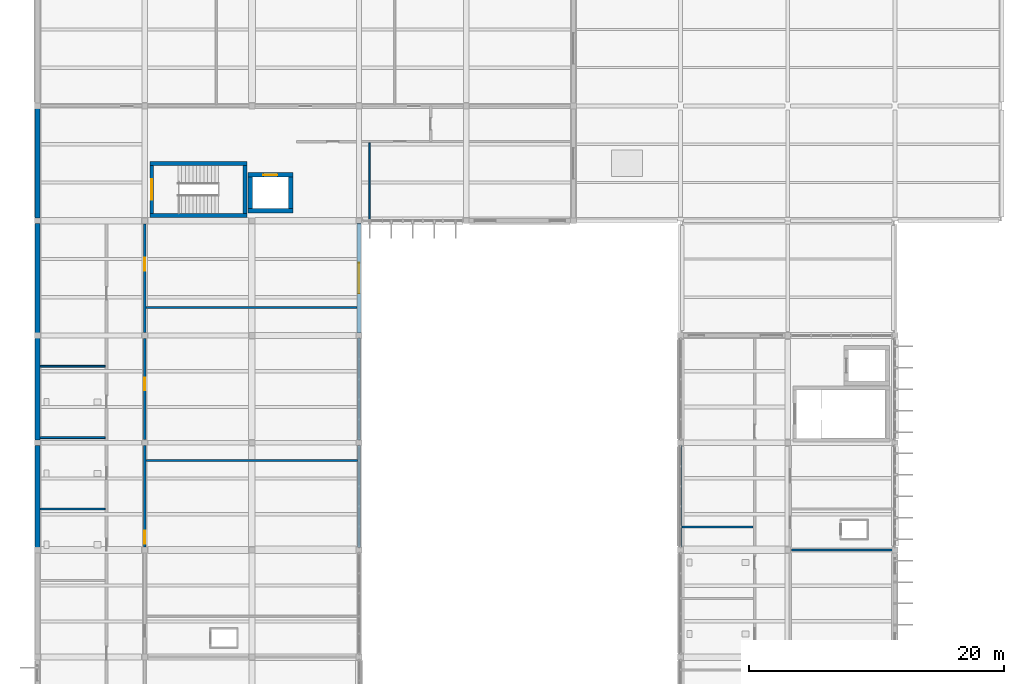
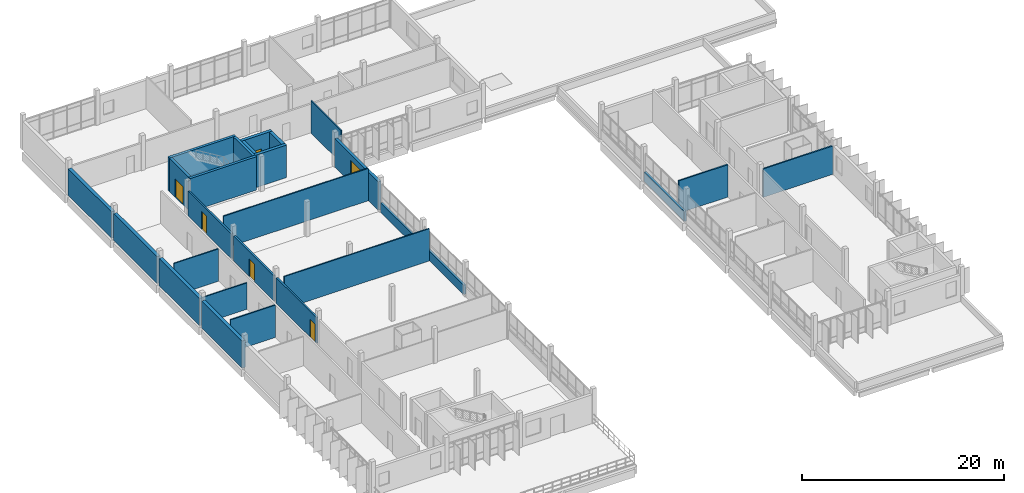
# One storey, part 52 of 62: 27 walls, 5 doors, 1 window, 6 openings.
"""IFC4 building model written with IfcOpenShell, lengths in metres."""

from ifc_helpers import new_model, si_unit, direction, frame, frame_2d, origin, place, context, subcontext, project, spatial, rectangle, extrude, material, layer, layer_set, type_object, element, fill, save


model = new_model("IFC4")

# Units and contexts
model_context = context("Model", 3, precision=1e-05, world=origin(), true_north=direction((0.0, 1.0)))
body_context = subcontext(model_context, "Body", "Model", "MODEL_VIEW")
ifc_project = project(units=[si_unit("LENGTHUNIT", "METRE"), si_unit("AREAUNIT", "SQUARE_METRE"), si_unit("VOLUMEUNIT", "CUBIC_METRE"), si_unit("PLANEANGLEUNIT", "RADIAN"), si_unit("MASSUNIT", "GRAM", prefix="KILO")], contexts=[model_context])

# Site, building, storey
site_placement = place(None, origin())
site = spatial("IfcSite", under=ifc_project, at=site_placement, CompositionType="ELEMENT")
building_placement = place(site_placement, origin())
building = spatial("IfcBuilding", under=site, at=building_placement, Name="Vireocrest Preparatory School", CompositionType="ELEMENT")
storey_placement = place(building_placement, frame((0.0, 0.0, 17.39990234375)))
storey = spatial("IfcBuildingStorey", under=building, at=storey_placement, Name="L04", CompositionType="ELEMENT", Elevation=17.39990234375)

# Walls
ifc_material_1 = material(Name="Gypsum board on cold-formed steel studs", Category="steel")
ifc_layer_1 = layer(ifc_material_1, 0.139892578125)
ifc_layer_set_1 = layer_set([ifc_layer_1], Name="Gypsum board on cold-formed steel studs")
wall_type_1 = type_object("IfcWallType", Name="Classroom Acoustic Partition Wall 140", PredefinedType="PARTITIONING", material=ifc_layer_set_1)
wall_1_placement = place(storey_placement, frame((42.195068359375, 72.199951171875, 0.0), z_axis=(0.0, 0.0, 1.0), x_axis=(1.0, 0.0, 0.0)))
element("IfcWall", 1, at=wall_1_placement, inside=storey, type_object=wall_type_1, Name="Interior Partition W03 IW_L04_0292", PredefinedType="PARTITIONING", context=body_context, shape_type="SweptSolid", body=[
    extrude(rectangle(XDim=5.099853515625, YDim=0.139892578125, at=frame_2d((2.5498046875, 0.0))), origin(), (0.0, 0.0, 1.0), 3.900146484375),
])
wall_2_placement = place(storey_placement, frame((42.195068359375, 77.800048828125, 0.0), z_axis=(0.0, 0.0, 1.0), x_axis=(1.0, 0.0, 0.0)))
element("IfcWall", 2, at=wall_2_placement, inside=storey, type_object=wall_type_1, Name="Interior Partition W03 IW_L04_0293", PredefinedType="PARTITIONING", context=body_context, shape_type="SweptSolid", body=[
    extrude(rectangle(XDim=5.099853515625, YDim=0.139892578125, at=frame_2d((2.5498046875, 0.0))), origin(), (0.0, 0.0, 1.0), 3.190185546875),
])
wall_3_placement = place(storey_placement, frame((42.195068359375, 83.39990234375, 0.0), z_axis=(0.0, 0.0, 1.0), x_axis=(1.0, 0.0, 0.0)))
element("IfcWall", 3, at=wall_3_placement, inside=storey, type_object=wall_type_1, Name="Interior Partition W03 IW_L04_0294", PredefinedType="PARTITIONING", context=body_context, shape_type="SweptSolid", body=[
    extrude(rectangle(XDim=5.099853515625, YDim=0.139892578125, at=frame_2d((2.5498046875, 0.0))), origin(), (0.0, 0.0, 1.0), 3.900146484375),
])
wall_4_placement = place(storey_placement, frame((50.5048828125, 76.0, 0.0), z_axis=(0.0, 0.0, 1.0), x_axis=(1.0, 0.0, 0.0)))
element("IfcWall", 4, at=wall_4_placement, inside=storey, type_object=wall_type_1, Name="Interior Partition W03 IW_L04_0299", PredefinedType="PARTITIONING", context=body_context, shape_type="SweptSolid", body=[
    extrude(rectangle(XDim=16.570068359375, YDim=0.139892578125, at=frame_2d((8.28515625, 0.0))), origin(), (0.0, 0.0, 1.0), 3.900146484375),
])
wall_5_placement = place(storey_placement, frame((50.5048828125, 88.0, 0.0), z_axis=(0.0, 0.0, 1.0), x_axis=(1.0, 0.0, 0.0)))
element("IfcWall", 5, at=wall_5_placement, inside=storey, type_object=wall_type_1, Name="Interior Partition W03 IW_L04_0300", PredefinedType="PARTITIONING", context=body_context, shape_type="SweptSolid", body=[
    extrude(rectangle(XDim=16.530029296875, YDim=0.139892578125, at=frame_2d((8.26513671875, 0.0))), origin(), (0.0, 0.0, 1.0), 3.900146484375),
])

# Wall, opening, door
ifc_layer_2 = layer(ifc_material_1, 0.199951171875)
ifc_layer_set_2 = layer_set([ifc_layer_2], Name="Gypsum board on cold-formed steel studs")
wall_type_2 = type_object("IfcWallType", Name="Corridor One-Hour Fire Partition 200", PredefinedType="PARTITIONING", material=ifc_layer_set_2)
wall_6_placement = place(storey_placement, frame((50.39990234375, 69.235107421875, 0.0), z_axis=(0.0, 0.0, 1.0), x_axis=(0.0, 1.0, 0.0)))
wall_6 = element("IfcWall", 6, at=wall_6_placement, inside=storey, type_object=wall_type_2, Name="Interior Partition W06 IW_L04_0303", PredefinedType="PARTITIONING", context=body_context, shape_type="SweptSolid", body=[
    extrude(rectangle(XDim=7.929931640625, YDim=0.199951171875, at=frame_2d((3.96484375, 0.0))), origin(), (0.0, 0.0, 1.0), 3.090087890625),
])
opening_1_placement = place(wall_6_placement, frame((0.25, 0.0, 0.0)))
opening_1 = element("IfcOpeningElement", 7, at=opening_1_placement, cuts=wall_6, Name="Opening D-L04-W4E03", PredefinedType="OPENING", context=body_context, shape_type="SweptSolid", body=[
    extrude(rectangle(XDim=1.0, YDim=2.14990234375, at=frame_2d((0.5, 1.074951171875))), frame((0.0, 0.10986328125, 0.0), z_axis=(0.0, -1.0, 0.0), x_axis=(1.0, 0.0, 0.0)), (0.0, 0.0, 1.0), 0.219970703125),
])
ifc_material_2 = material(Name="Solid-core architectural birch timber", Category="wood")
door_type_1 = type_object("IfcDoorType", Name="Classroom Acoustic Timber Door 1000x2150", OperationType="NOTDEFINED", PredefinedType="DOOR", material=ifc_material_2)
door_1_placement = place(opening_1_placement, origin())
door_1 = element("IfcDoor", 8, at=door_1_placement, inside=storey, type_object=door_type_1, Name="Interior Door D-L04-W4E03", OperationType="SINGLE_SWING_RIGHT", OverallHeight=2.14990234375, OverallWidth=1.0, PredefinedType="DOOR", context=body_context, shape_type="SweptSolid", body=[
    extrude(rectangle(XDim=1.0, YDim=2.14990234375, at=frame_2d((0.5, 1.074951171875))), frame((0.0, 0.02490234375, 0.0), z_axis=(0.0, -1.0, 0.0), x_axis=(1.0, 0.0, 0.0)), (0.0, 0.0, 1.0), 0.050048828125),
])
fill(opening_1, door_1)

wall_7_placement = place(storey_placement, frame((50.39990234375, 77.635009765625, 0.0), z_axis=(0.0, 0.0, 1.0), x_axis=(0.0, 1.0, 0.0)))
wall_7 = element("IfcWall", 9, at=wall_7_placement, inside=storey, type_object=wall_type_2, Name="Interior Partition W06 IW_L04_0304", PredefinedType="PARTITIONING", context=body_context, shape_type="SweptSolid", body=[
    extrude(rectangle(XDim=7.929931640625, YDim=0.199951171875, at=frame_2d((3.96484375, 0.0))), origin(), (0.0, 0.0, 1.0), 3.0400390625),
])
opening_2_placement = place(wall_7_placement, frame((3.864990234375, 0.0, 0.0)))
opening_2 = element("IfcOpeningElement", 10, at=opening_2_placement, cuts=wall_7, Name="Opening D-L04-W4E04", PredefinedType="OPENING", context=body_context, shape_type="SweptSolid", body=[
    extrude(rectangle(XDim=1.0, YDim=2.14990234375, at=frame_2d((0.5, 1.074951171875))), frame((0.0, 0.10986328125, 0.0), z_axis=(0.0, -1.0, 0.0), x_axis=(1.0, 0.0, 0.0)), (0.0, 0.0, 1.0), 0.219970703125),
])
door_2_placement = place(opening_2_placement, origin())
door_2 = element("IfcDoor", 11, at=door_2_placement, inside=storey, type_object=door_type_1, Name="Interior Door D-L04-W4E04", OperationType="SINGLE_SWING_LEFT", OverallHeight=2.14990234375, OverallWidth=1.0, PredefinedType="DOOR", context=body_context, shape_type="SweptSolid", body=[
    extrude(rectangle(XDim=1.0, YDim=2.14990234375, at=frame_2d((0.5, 1.074951171875))), frame((0.0, 0.02490234375, 0.0), z_axis=(0.0, -1.0, 0.0), x_axis=(1.0, 0.0, 0.0)), (0.0, 0.0, 1.0), 0.050048828125),
])
fill(opening_2, door_2)

wall_8_placement = place(storey_placement, frame((50.39990234375, 86.034912109375, 0.0), z_axis=(0.0, 0.0, 1.0), x_axis=(0.0, 1.0, 0.0)))
wall_8 = element("IfcWall", 12, at=wall_8_placement, inside=storey, type_object=wall_type_2, Name="Interior Partition W06 IW_L04_0305", PredefinedType="PARTITIONING", context=body_context, shape_type="SweptSolid", body=[
    extrude(rectangle(XDim=8.530029296875, YDim=0.199951171875, at=frame_2d((4.26513671875, 0.0))), origin(), (0.0, 0.0, 1.0), 2.989990234375),
])
opening_3_placement = place(wall_8_placement, frame((4.864990234375, 0.0, 0.0)))
opening_3 = element("IfcOpeningElement", 13, at=opening_3_placement, cuts=wall_8, Name="Opening D-L04-W4E05", PredefinedType="OPENING", context=body_context, shape_type="SweptSolid", body=[
    extrude(rectangle(XDim=1.0, YDim=2.14990234375, at=frame_2d((0.5, 1.074951171875))), frame((0.0, 0.10986328125, 0.0), z_axis=(0.0, -1.0, 0.0), x_axis=(1.0, 0.0, 0.0)), (0.0, 0.0, 1.0), 0.219970703125),
])
door_3_placement = place(opening_3_placement, origin())
door_3 = element("IfcDoor", 14, at=door_3_placement, inside=storey, type_object=door_type_1, Name="Interior Door D-L04-W4E05", OperationType="SINGLE_SWING_RIGHT", OverallHeight=2.14990234375, OverallWidth=1.0, PredefinedType="DOOR", context=body_context, shape_type="SweptSolid", body=[
    extrude(rectangle(XDim=1.0, YDim=2.14990234375, at=frame_2d((0.5, 1.074951171875))), frame((0.0, 0.02490234375, 0.0), z_axis=(0.0, -1.0, 0.0), x_axis=(1.0, 0.0, 0.0)), (0.0, 0.0, 1.0), 0.050048828125),
])
fill(opening_3, door_3)

# Wall, opening, window
ifc_material_3 = material(Name="Precast white concrete 40 MPa", Category="concrete")
ifc_layer_3 = layer(ifc_material_3, 0.320068359375)
ifc_layer_set_3 = layer_set([ifc_layer_3], Name="Precast white concrete 40 MPa")
wall_type_3 = type_object("IfcWallType", Name="High-Tech Insulated Rainscreen External Wall 320", PredefinedType="SOLIDWALL", material=ifc_layer_set_3)
wall_9_placement = place(storey_placement, frame((67.199951171875, 86.0, 0.0), z_axis=(0.0, 0.0, 1.0), x_axis=(0.0, 1.0, 0.0)))
wall_9 = element("IfcWall", 15, at=wall_9_placement, inside=storey, type_object=wall_type_3, Name="External Wall W12 EW_L04_0355", PredefinedType="SOLIDWALL", context=body_context, shape_type="SweptSolid", body=[
    extrude(rectangle(XDim=8.60009765625, YDim=0.320068359375, at=frame_2d((4.300048828125, 0.0))), origin(), (0.0, 0.0, 1.0), 3.43017578125),
])
opening_4_placement = place(wall_9_placement, frame((3.10009765625, 0.0, 0.89990234375)))
opening_4 = element("IfcOpeningElement", 16, at=opening_4_placement, cuts=wall_9, Name="Opening WN12", PredefinedType="OPENING", context=body_context, shape_type="SweptSolid", body=[
    extrude(rectangle(XDim=2.39990234375, YDim=1.800048828125, at=frame_2d((1.199951171875, 0.89990234375))), frame((0.0, 0.169921875, 0.0), z_axis=(0.0, -1.0, 0.0), x_axis=(1.0, 0.0, 0.0)), (0.0, 0.0, 1.0), 0.340087890625),
])
ifc_material_4 = material(Name="Thermally broken aluminium EN AW-6063-T6", Category="aluminium")
window_type = type_object("IfcWindowType", Name="Classroom Paired Window 2400x1800", PartitioningType="DOUBLE_PANEL_VERTICAL", PredefinedType="WINDOW", material=ifc_material_4)
window_placement = place(opening_4_placement, origin())
window = element("IfcWindow", 17, at=window_placement, inside=storey, type_object=window_type, Name="Window W-L04-178 (WN12)", OverallHeight=1.800048828125, OverallWidth=2.39990234375, PartitioningType="SINGLE_PANEL", PredefinedType="WINDOW", context=body_context, shape_type="SweptSolid", body=[
    extrude(rectangle(XDim=2.39990234375, YDim=1.800048828125, at=frame_2d((1.199951171875, 0.89990234375))), frame((0.0, 0.030029296875, 0.0), z_axis=(0.0, -1.0, 0.0), x_axis=(1.0, 0.0, 0.0)), (0.0, 0.0, 1.0), 0.06005859375),
])
fill(opening_4, window)

# Walls
ifc_layer_4 = layer(ifc_material_1, 0.159912109375)
ifc_layer_set_4 = layer_set([ifc_layer_4], Name="Gypsum board on cold-formed steel studs")
wall_type_4 = type_object("IfcWallType", Name="Laboratory Wet-Service Partition Wall 160", PredefinedType="PARTITIONING", material=ifc_layer_set_4)
wall_10_placement = place(storey_placement, frame((92.52490234375, 70.800048828125, 0.0), z_axis=(0.0, 0.0, 1.0), x_axis=(1.0, 0.0, 0.0)))
element("IfcWall", 18, at=wall_10_placement, inside=storey, type_object=wall_type_4, Name="Interior Partition W04 IW_L04_0319", PredefinedType="PARTITIONING", context=body_context, shape_type="SweptSolid", body=[
    extrude(rectangle(XDim=5.570068359375, YDim=0.159912109375, at=frame_2d((2.78515625, 0.0))), origin(), (0.0, 0.0, 1.0), 3.900146484375),
])
wall_11_placement = place(storey_placement, frame((101.10498046875, 69.0, 0.0), z_axis=(0.0, 0.0, 1.0), x_axis=(1.0, 0.0, 0.0)))
element("IfcWall", 19, at=wall_11_placement, inside=storey, type_object=wall_type_4, Name="Interior Partition W04 IW_L04_0321", PredefinedType="PARTITIONING", context=body_context, shape_type="SweptSolid", body=[
    extrude(rectangle(XDim=7.929931640625, YDim=0.159912109375, at=frame_2d((3.96484375, 0.0))), origin(), (0.0, 0.0, 1.0), 3.43017578125),
])
ifc_layer_5 = layer(ifc_material_1, 0.1201171875)
ifc_layer_set_5 = layer_set([ifc_layer_5], Name="Gypsum board on cold-formed steel studs")
wall_type_5 = type_object("IfcWallType", Name="Office Stud Partition Wall 120", PredefinedType="PARTITIONING", material=ifc_layer_set_5)
wall_12_placement = place(storey_placement, frame((68.0, 94.905029296875, 0.0), z_axis=(0.0, 0.0, 1.0), x_axis=(0.0, 1.0, 0.0)))
element("IfcWall", 20, at=wall_12_placement, inside=storey, type_object=wall_type_5, Name="Interior Partition W02 IW_L04_0314", PredefinedType="PARTITIONING", context=body_context, shape_type="SweptSolid", body=[
    extrude(rectangle(XDim=5.989990234375, YDim=0.1201171875, at=frame_2d((2.9951171875, 0.0))), origin(), (0.0, 0.0, 1.0), 3.900146484375),
])
ifc_material_5 = material(Name="Concrete 45 MPa", Category="concrete")
ifc_layer_6 = layer(ifc_material_5, 0.35009765625)
ifc_layer_set_6 = layer_set([ifc_layer_6], Name="Concrete 45 MPa")
wall_type_6 = type_object("IfcWallType", Name="Two-Hour RC Lift Core Shear Wall 350", PredefinedType="SHEAR", material=ifc_layer_set_6)
wall_13_placement = place(storey_placement, frame((58.47509765625, 95.60009765625, 0.0), z_axis=(0.0, 0.0, 1.0), x_axis=(1.0, 0.0, 0.0)))
element("IfcWall", 21, at=wall_13_placement, inside=storey, type_object=wall_type_6, Name="Lift Core Shear Wall LF3 L04-S", PredefinedType="SHEAR", context=body_context, shape_type="SweptSolid", body=[
    extrude(rectangle(XDim=3.5498046875, YDim=0.35009765625, at=frame_2d((1.77490234375, 0.0))), origin(), (0.0, 0.0, 1.0), 3.920166015625),
])

# Wall, opening, door
wall_14_placement = place(storey_placement, frame((58.47509765625, 98.39990234375, 0.0), z_axis=(0.0, 0.0, 1.0), x_axis=(1.0, 0.0, 0.0)))
wall_14 = element("IfcWall", 22, at=wall_14_placement, inside=storey, type_object=wall_type_6, Name="Lift Core Shear Wall LF3 L04-N", PredefinedType="SHEAR", context=body_context, shape_type="SweptSolid", body=[
    extrude(rectangle(XDim=3.5498046875, YDim=0.35009765625, at=frame_2d((1.77490234375, 0.0))), origin(), (0.0, 0.0, 1.0), 3.920166015625),
])
opening_5_placement = place(wall_14_placement, frame((1.22509765625, 0.0, 0.0)))
opening_5 = element("IfcOpeningElement", 23, at=opening_5_placement, cuts=wall_14, Name="Opening LD-LF3-L04", PredefinedType="OPENING", context=body_context, shape_type="SweptSolid", body=[
    extrude(rectangle(XDim=1.10009765625, YDim=2.199951171875, at=frame_2d((0.550048828125, 1.10009765625))), frame((0.0, 0.18505859375, 0.0), z_axis=(0.0, -1.0, 0.0), x_axis=(1.0, 0.0, 0.0)), (0.0, 0.0, 1.0), 0.3701171875),
])
ifc_material_6 = material(Name="Painted galvanized hollow steel", Category="steel")
door_type_2 = type_object("IfcDoorType", Name="Lift Landing Sliding Door 1100x2200", OperationType="DOUBLE_DOOR_SLIDING", PredefinedType="DOOR", material=ifc_material_6)
door_4_placement = place(opening_5_placement, origin())
door_4 = element("IfcDoor", 24, at=door_4_placement, inside=storey, type_object=door_type_2, Name="Lift Landing Door LD-LF3-L04", OperationType="DOUBLE_DOOR_SLIDING", OverallHeight=2.199951171875, OverallWidth=1.10009765625, PredefinedType="DOOR", context=body_context, shape_type="SweptSolid", body=[
    extrude(rectangle(XDim=1.10009765625, YDim=2.199951171875, at=frame_2d((0.550048828125, 1.10009765625))), frame((0.0, 0.02490234375, 0.0), z_axis=(0.0, -1.0, 0.0), x_axis=(1.0, 0.0, 0.0)), (0.0, 0.0, 1.0), 0.050048828125),
])
fill(opening_5, door_4)

# Walls
for number, where, z_axis, x_axis, name in (
    (25, (58.64990234375, 95.77490234375, 0.0), (0.0, 0.0, 1.0), (0.0, 1.0, 0.0), "Lift Core Shear Wall LF3 L04-W"),
    (26, (61.85009765625, 95.77490234375, 0.0), (0.0, 0.0, 1.0), (0.0, 1.0, 0.0), "Lift Core Shear Wall LF3 L04-E"),
):
    element("IfcWall", number, at=place(storey_placement, frame(where, z_axis=z_axis, x_axis=x_axis)), inside=storey, type_object=wall_type_6, Name=name, PredefinedType="SHEAR", context=body_context, shape_type="SweptSolid", body=[
        extrude(rectangle(XDim=2.4501953125, YDim=0.35009765625, at=frame_2d((1.22509765625, 0.0))), origin(), (0.0, 0.0, 1.0), 3.920166015625),
    ])
ifc_layer_7 = layer(ifc_material_5, 0.3798828125)
ifc_layer_set_7 = layer_set([ifc_layer_7], Name="Concrete 45 MPa")
wall_type_7 = type_object("IfcWallType", Name="Two-Hour RC Lot-Line Shear Wall 380", PredefinedType="SHEAR", material=ifc_layer_set_7)
wall_15_placement = place(storey_placement, frame((42.0, 95.0, 0.0), z_axis=(0.0, 0.0, 1.0), x_axis=(0.0, 1.0, 0.0)))
element("IfcWall", 27, at=wall_15_placement, inside=storey, type_object=wall_type_7, Name="External Wall PW1 PARTY_L04_0365", PredefinedType="SHEAR", context=body_context, shape_type="SweptSolid", body=[
    extrude(rectangle(XDim=8.60009765625, YDim=0.3798828125, at=frame_2d((4.300048828125, 0.0))), origin(), (0.0, 0.0, 1.0), 3.190185546875),
])
wall_16_placement = place(storey_placement, frame((42.0, 86.0, 0.0), z_axis=(0.0, 0.0, 1.0), x_axis=(0.0, 1.0, 0.0)))
element("IfcWall", 28, at=wall_16_placement, inside=storey, type_object=wall_type_7, Name="External Wall PW1 PARTY_L04_0367", PredefinedType="SHEAR", context=body_context, shape_type="SweptSolid", body=[
    extrude(rectangle(XDim=8.60009765625, YDim=0.3798828125, at=frame_2d((4.300048828125, 0.0))), origin(), (0.0, 0.0, 1.0), 3.239990234375),
])
wall_17_placement = place(storey_placement, frame((42.0, 69.199951171875, 0.0), z_axis=(0.0, 0.0, 1.0), x_axis=(0.0, 1.0, 0.0)))
element("IfcWall", 29, at=wall_17_placement, inside=storey, type_object=wall_type_7, Name="External Wall PW1 PARTY_L04_0371", PredefinedType="SHEAR", context=body_context, shape_type="SweptSolid", body=[
    extrude(rectangle(XDim=8.0, YDim=0.3798828125, at=frame_2d((4.0, 0.0))), origin(), (0.0, 0.0, 1.0), 3.239990234375),
])
wall_18_placement = place(storey_placement, frame((42.0, 77.60009765625, 0.0), z_axis=(0.0, 0.0, 1.0), x_axis=(0.0, 1.0, 0.0)))
element("IfcWall", 30, at=wall_18_placement, inside=storey, type_object=wall_type_7, Name="External Wall PW1 PARTY_L04_0372", PredefinedType="SHEAR", context=body_context, shape_type="SweptSolid", body=[
    extrude(rectangle(XDim=8.0, YDim=0.3798828125, at=frame_2d((4.0, 0.0))), origin(), (0.0, 0.0, 1.0), 3.2900390625),
])
ifc_layer_8 = layer(ifc_material_5, 0.300048828125)
ifc_layer_set_8 = layer_set([ifc_layer_8], Name="Concrete 45 MPa")
wall_type_8 = type_object("IfcWallType", Name="Two-Hour RC Stair Shaft Shear Wall 300", PredefinedType="SHEAR", material=ifc_layer_set_8)
for number, where, z_axis, x_axis, name in (
    (31, (50.800048828125, 95.199951171875, 0.0), (0.0, 0.0, 1.0), (1.0, 0.0, 0.0), "Stair Core Shear Wall ST3 L04-S"),
    (32, (50.800048828125, 99.300048828125, 0.0), (0.0, 0.0, 1.0), (1.0, 0.0, 0.0), "Stair Core Shear Wall ST3 L04-N"),
):
    element("IfcWall", number, at=place(storey_placement, frame(where, z_axis=z_axis, x_axis=x_axis)), inside=storey, type_object=wall_type_8, Name=name, PredefinedType="SHEAR", context=body_context, shape_type="SweptSolid", body=[
        extrude(rectangle(XDim=7.599853515625, YDim=0.300048828125, at=frame_2d((3.7998046875, 0.0))), origin(), (0.0, 0.0, 1.0), 4.025146484375),
    ])

# Wall, opening, door
wall_19_placement = place(storey_placement, frame((50.949951171875, 95.35009765625, 0.0), z_axis=(0.0, 0.0, 1.0), x_axis=(0.0, 1.0, 0.0)))
wall_19 = element("IfcWall", 33, at=wall_19_placement, inside=storey, type_object=wall_type_8, Name="Stair Core Shear Wall ST3 L04-W", PredefinedType="SHEAR", context=body_context, shape_type="SweptSolid", body=[
    extrude(rectangle(XDim=3.7998046875, YDim=0.300048828125, at=frame_2d((1.89990234375, 0.0))), origin(), (0.0, 0.0, 1.0), 4.025146484375),
])
opening_6_placement = place(wall_19_placement, frame((1.10009765625, 0.0, 0.0)))
opening_6 = element("IfcOpeningElement", 34, at=opening_6_placement, cuts=wall_19, Name="Opening SD-ST3-L04", PredefinedType="OPENING", context=body_context, shape_type="SweptSolid", body=[
    extrude(rectangle(XDim=1.60009765625, YDim=2.199951171875, at=frame_2d((0.800048828125, 1.10009765625))), frame((0.0, 0.159912109375, 0.0), z_axis=(0.0, -1.0, 0.0), x_axis=(1.0, 0.0, 0.0)), (0.0, 0.0, 1.0), 0.320068359375),
])
door_type_3 = type_object("IfcDoorType", Name="Stair Core Lobby Fire Door 1600x2200", OperationType="DOUBLE_DOOR_SINGLE_SWING", PredefinedType="DOOR", material=ifc_material_6)
door_5_placement = place(opening_6_placement, origin())
door_5 = element("IfcDoor", 35, at=door_5_placement, inside=storey, type_object=door_type_3, Name="Stair Enclosure Fire Door SD-ST3-L04", OperationType="DOUBLE_DOOR_SINGLE_SWING", OverallHeight=2.199951171875, OverallWidth=1.60009765625, PredefinedType="DOOR", context=body_context, shape_type="SweptSolid", body=[
    extrude(rectangle(XDim=1.60009765625, YDim=2.199951171875, at=frame_2d((0.800048828125, 1.10009765625))), frame((0.0, 0.02490234375, 0.0), z_axis=(0.0, -1.0, 0.0), x_axis=(1.0, 0.0, 0.0)), (0.0, 0.0, 1.0), 0.050048828125),
])
fill(opening_6, door_5)

# Walls
wall_20_placement = place(storey_placement, frame((58.25, 95.35009765625, 0.0), z_axis=(0.0, 0.0, 1.0), x_axis=(0.0, 1.0, 0.0)))
element("IfcWall", 36, at=wall_20_placement, inside=storey, type_object=wall_type_8, Name="Stair Core Shear Wall ST3 L04-E", PredefinedType="SHEAR", context=body_context, shape_type="SweptSolid", body=[
    extrude(rectangle(XDim=3.7998046875, YDim=0.300048828125, at=frame_2d((1.89990234375, 0.0))), origin(), (0.0, 0.0, 1.0), 4.025146484375),
])
ifc_layer_9 = layer(ifc_material_3, 0.239990234375)
ifc_layer_set_9 = layer_set([ifc_layer_9], Name="Precast white concrete 40 MPa")
wall_type_9 = type_object("IfcWallType", Name="White Precast Courtyard Spandrel Wall 240", PredefinedType="SOLIDWALL", material=ifc_layer_set_9)
for number, where, z_axis, x_axis, name in (
    (37, (67.199951171875, 69.199951171875, 0.0), (0.0, 0.0, 1.0), (0.0, 1.0, 0.0), "External Wall W08 EW_L04_0379"),
    (38, (67.199951171875, 77.60009765625, 0.0), (0.0, 0.0, 1.0), (0.0, 1.0, 0.0), "External Wall W08 EW_L04_0380"),
    (39, (92.39990234375, 69.199951171875, 0.0), (0.0, 0.0, 1.0), (0.0, 1.0, 0.0), "External Wall W08 EW_L04_0384"),
):
    element("IfcWall", number, at=place(storey_placement, frame(where, z_axis=z_axis, x_axis=x_axis)), inside=storey, type_object=wall_type_9, Name=name, PredefinedType="SOLIDWALL", context=body_context, shape_type="SweptSolid", body=[
        extrude(rectangle(XDim=8.0, YDim=0.239990234375, at=frame_2d((4.0, 0.0))), origin(), (0.0, 0.0, 1.0), 1.150146484375),
    ])

save(model, "model.ifc")
